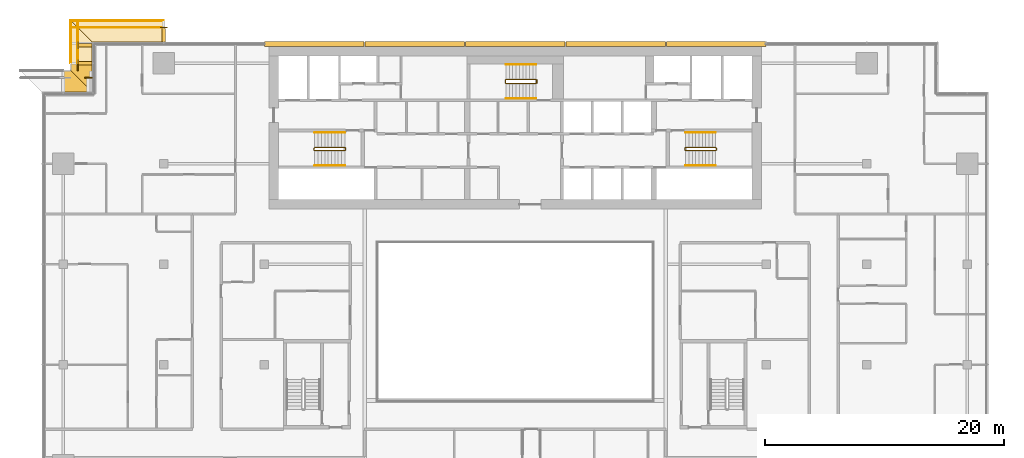
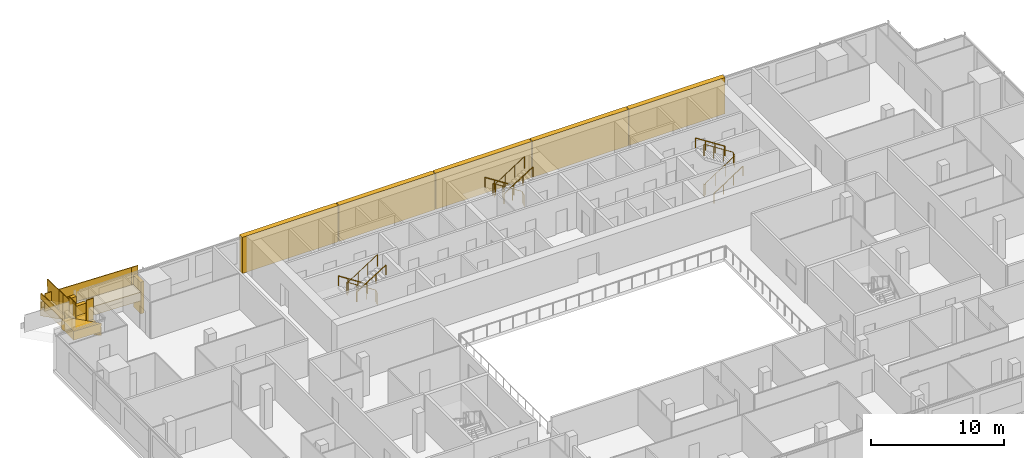
# One storey, part 27 of 30: 16 railings, 14 coverings.
"""IFC4 building model written with IfcOpenShell, lengths in metres."""

import ifcopenshell
import ifcopenshell.guid

model = None  # the IFC model being written
_history = None  # IfcOwnerHistory: only IFC2X3 demands one
_inside = {}  # id of a spatial element -> (the spatial element, [elements in it])
_under = {}  # id of a project, library or spatial element -> (it, [spatial elements below it])
_declared = {}  # id of a project -> (the project, [libraries it declares])
_typed = {}  # id of a type object -> (the type object, [elements of that type])
_made_of = {}  # id of a material, layer set ... -> (it, [elements and type objects made of it])


def new_model(schema):
    """Start an empty IFC model of exactly this schema.

    Asked for "IFC4X3", IfcOpenShell would pick the latest addendum, in which some entities
    have other attributes; the version numbers below select the first issue.
    IFC2X3 requires an IfcOwnerHistory on every rooted entity: one is made here for all.
    """
    global model, _history
    if schema == "IFC4X3":
        model = ifcopenshell.file(schema_version=(4, 3, 0, 0))
    else:
        model = ifcopenshell.file(schema=schema)
    _inside.clear()
    _under.clear()
    _declared.clear()
    _typed.clear()
    _made_of.clear()
    _history = None
    if model.schema == "IFC2X3":
        org = make("IfcOrganization", Name="unknown")
        user = make(
            "IfcPersonAndOrganization",
            ThePerson=make("IfcPerson", FamilyName="unknown"),
            TheOrganization=org,
        )
        app = make(
            "IfcApplication",
            ApplicationDeveloper=org,
            Version="unknown",
            ApplicationFullName="unknown",
            ApplicationIdentifier="unknown",
        )
        _history = make(
            "IfcOwnerHistory",
            OwningUser=user,
            OwningApplication=app,
            ChangeAction="ADDED",
            CreationDate=0,
        )
    return model


def make(cls, **values):
    """One entity of the class cls with the attributes given. An attribute that is None is left unset."""
    return model.create_entity(
        cls, **{name: value for name, value in values.items() if value is not None}
    )


def rooted(cls, **values):
    """An entity with a GlobalId (a new one), such as an element, a storey or a relation."""
    return make(cls, GlobalId=ifcopenshell.guid.new(), OwnerHistory=_history, **values)


def si_unit(unit_type, name, prefix=None):
    """IfcSIUnit, for example si_unit("LENGTHUNIT", "METRE", prefix="MILLI")."""
    return make("IfcSIUnit", UnitType=unit_type, Prefix=prefix, Name=name)


def assignment(units):
    """IfcUnitAssignment: the units of a project."""
    return None if units is None else make("IfcUnitAssignment", Units=units)


def point(xyz):
    """IfcCartesianPoint."""
    return None if xyz is None else make("IfcCartesianPoint", Coordinates=xyz)


def direction(xyz):
    """IfcDirection."""
    return None if xyz is None else make("IfcDirection", DirectionRatios=xyz)


def frame(location, z_axis=None, x_axis=None):
    """IfcAxis2Placement3D, a coordinate frame: its origin and axes. An axis left out is left unset."""
    return make(
        "IfcAxis2Placement3D",
        Location=point(location),
        Axis=direction(z_axis),
        RefDirection=direction(x_axis),
    )


def frame_2d(location, x_axis=None):
    """IfcAxis2Placement2D, a coordinate frame in the plane: its origin and x axis."""
    return make(
        "IfcAxis2Placement2D", Location=point(location), RefDirection=direction(x_axis)
    )


def origin():
    """The frame at (0, 0, 0) with its axes left unset."""
    return frame((0.0, 0.0, 0.0))


def origin_2d():
    """The frame at (0, 0) in the plane with its x axis left unset."""
    return frame_2d((0.0, 0.0))


def place(relative_to, where):
    """IfcLocalPlacement: puts the frame where relative to a parent placement (None: the world)."""
    return make(
        "IfcLocalPlacement", PlacementRelTo=relative_to, RelativePlacement=where
    )


def context(
    kind, dimensions, precision=None, world=None, true_north=None, identifier=None
):
    """IfcGeometricRepresentationContext, for example the 3D "Model" context."""
    return make(
        "IfcGeometricRepresentationContext",
        ContextIdentifier=identifier,
        ContextType=kind,
        CoordinateSpaceDimension=dimensions,
        Precision=precision,
        WorldCoordinateSystem=world,
        TrueNorth=true_north,
    )


def subcontext(parent, identifier, kind, view, scale=None):
    """IfcGeometricRepresentationSubContext, for example "Body" below "Model"."""
    return make(
        "IfcGeometricRepresentationSubContext",
        ContextIdentifier=identifier,
        ContextType=kind,
        ParentContext=parent,
        TargetScale=scale,
        TargetView=view,
    )


def project(units=None, contexts=None):
    """IfcProject with its units and contexts."""
    return rooted(
        "IfcProject",
        Name="project",
        RepresentationContexts=contexts,
        UnitsInContext=assignment(units),
    )


def spatial(cls, under=None, at=None, **own):
    """A site, building, storey or space (cls), placed at a placement, below another one or the project."""
    s = rooted(cls, ObjectPlacement=at, **own)
    if under is not None:
        _under.setdefault(under.id(), (under, []))[1].append(s)
    return s


def polyline(points):
    """IfcPolyline through the points."""
    return make("IfcPolyline", Points=[point(p) for p in points])


def profile(cls, at=None, kind="AREA", **sizes):
    """A parametric profile (cls). Its sizes go by their IFC names, for example OverallWidth=200.0."""
    return make(cls, ProfileType=kind, Position=at, **sizes)


def rectangle(**sizes):
    """IfcRectangleProfileDef."""
    return profile("IfcRectangleProfileDef", **sizes)


def circle(**sizes):
    """IfcCircleProfileDef."""
    return profile("IfcCircleProfileDef", **sizes)


def outline(outer, holes=None, kind="AREA"):
    """IfcArbitraryClosedProfileDef: a profile drawn as a closed curve; with holes, ...WithVoids."""
    if holes is None:
        return make("IfcArbitraryClosedProfileDef", ProfileType=kind, OuterCurve=outer)
    return make(
        "IfcArbitraryProfileDefWithVoids",
        ProfileType=kind,
        OuterCurve=outer,
        InnerCurves=holes,
    )


def extrude(swept, where, along, depth):
    """IfcExtrudedAreaSolid: the profile swept, set in the frame where, extruded along a direction by depth."""
    return make(
        "IfcExtrudedAreaSolid",
        SweptArea=swept,
        Position=where,
        ExtrudedDirection=direction(along),
        Depth=depth,
    )


def shape(context_of_items, identifier, shape_type, items):
    """IfcShapeRepresentation: the items that make up one representation, for example the "Body"."""
    return make(
        "IfcShapeRepresentation",
        ContextOfItems=context_of_items,
        RepresentationIdentifier=identifier,
        RepresentationType=shape_type,
        Items=items,
    )


def material(Name=None, Category=None):
    """IfcMaterial."""
    return make("IfcMaterial", Name=Name, Category=Category)


def layer(
    of_material, thickness, ventilated=None, Name=None, Category=None, Priority=None
):
    """IfcMaterialLayer: one layer of a wall or slab, of a material (None: an air gap)."""
    return make(
        "IfcMaterialLayer",
        Material=of_material,
        LayerThickness=thickness,
        IsVentilated=ventilated,
        Name=Name,
        Category=Category,
        Priority=Priority,
    )


def layer_set(layers, Name=None):
    """IfcMaterialLayerSet."""
    return make("IfcMaterialLayerSet", MaterialLayers=layers, LayerSetName=Name)


def made_of(thing, what):
    """Note that an element or type object is made of a material, layer set ...; save() writes the relation."""
    if what is not None:
        _made_of.setdefault(what.id(), (what, []))[1].append(thing)
    return thing


def type_object(cls, material=None, **own):
    """A type object (cls), such as IfcWallType, which elements share."""
    return made_of(rooted(cls, **own), material)


def element(
    cls,
    number,
    at=None,
    inside=None,
    cuts=None,
    type_object=None,
    material=None,
    context=None,
    identifier="Body",
    shape_type=None,
    held_by="IfcProductDefinitionShape",
    body=None,
    shapes=None,
    **own,
):
    """One element of the class cls, such as IfcWall. Its Tag is "e" and its number.

    at: its placement. inside: the storey or other place that contains it. cuts: it is an
    opening in that element (IfcRelVoidsElement). A single representation is given by context,
    identifier, shape_type and body (its items); several are given by shapes. held_by: the class
    of the entity that holds the representations. save() writes the other relations.
    """
    e = rooted(cls, Tag="e%d" % number, ObjectPlacement=at, **own)
    if body is not None:
        shapes = [shape(context, identifier, shape_type, body)]
    if shapes is not None:
        e.Representation = make(held_by, Representations=shapes)
    if inside is not None:
        _inside.setdefault(inside.id(), (inside, []))[1].append(e)
    if cuts is not None:
        rooted(
            "IfcRelVoidsElement", RelatingBuildingElement=cuts, RelatedOpeningElement=e
        )
    if type_object is not None:
        _typed.setdefault(type_object.id(), (type_object, []))[1].append(e)
    return made_of(e, material)


def aggregate(whole, parts):
    """IfcRelAggregates: a whole, such as a stair, and the parts it consists of."""
    return rooted("IfcRelAggregates", RelatingObject=whole, RelatedObjects=parts)


def save(model, path):
    """Write the relations noted so far, then the file.

    IfcRelAggregates (storeys below a building ...), IfcRelContainedInSpatialStructure (elements
    in a storey), IfcRelDefinesByType, IfcRelAssociatesMaterial and IfcRelDeclares: one each for
    every whole, place, type object, material and project.
    """
    for whole, parts in _under.values():
        aggregate(whole, parts)
    for where, things in _inside.values():
        rooted(
            "IfcRelContainedInSpatialStructure",
            RelatedElements=things,
            RelatingStructure=where,
        )
    for kind, things in _typed.values():
        rooted("IfcRelDefinesByType", RelatedObjects=things, RelatingType=kind)
    for what, things in _made_of.values():
        rooted("IfcRelAssociatesMaterial", RelatedObjects=things, RelatingMaterial=what)
    for by, libraries in _declared.values():
        rooted("IfcRelDeclares", RelatingContext=by, RelatedDefinitions=libraries)
    model.write(path)


model = new_model("IFC4")

# Units and contexts
model_context = context("Model", 3, precision=1e-05, world=origin(), true_north=direction((0.0, 1.0)))
body_context = subcontext(model_context, "Body", "Model", "MODEL_VIEW")
ifc_project = project(units=[si_unit("LENGTHUNIT", "METRE"), si_unit("AREAUNIT", "SQUARE_METRE"), si_unit("VOLUMEUNIT", "CUBIC_METRE"), si_unit("PLANEANGLEUNIT", "RADIAN"), si_unit("MASSUNIT", "GRAM", prefix="KILO")], contexts=[model_context])

# Site, building, storey
site_placement = place(None, origin())
site = spatial("IfcSite", under=ifc_project, at=site_placement, CompositionType="ELEMENT")
building_placement = place(site_placement, origin())
building = spatial("IfcBuilding", under=site, at=building_placement, Name="Saffron Gate Tower", CompositionType="ELEMENT")
storey_placement = place(building_placement, frame((0.0, 0.0, 179.85009765625)))
storey = spatial("IfcBuildingStorey", under=building, at=storey_placement, Name="L44", CompositionType="ELEMENT", Elevation=179.85009765625)

# Coverings
ifc_material_1 = material(Name="Ceramic-printed bronze insulated panel")
ifc_layer_1 = layer(ifc_material_1, 0.43994140625)
ifc_layer_set_1 = layer_set([ifc_layer_1], Name="CLD3 ceramic-printed cladding panel 440")
covering_type_1 = type_object("IfcCoveringType", Name="CLD3 ceramic-printed cladding panel 440", PredefinedType="CLADDING", material=ifc_layer_set_1)
covering_1_placement = place(storey_placement, origin())
element("IfcCovering", 1, at=covering_1_placement, inside=storey, type_object=covering_type_1, Name="CLADDING ceramic-printed panel", PredefinedType="CLADDING", context=body_context, shape_type="SweptSolid", body=[
    extrude(outline(polyline([(108.56494140625, 75.639892578125), (100.235107421875, 75.639892578125), (100.235107421875, 75.199951171875), (108.56494140625, 75.199951171875), (108.56494140625, 75.639892578125)])), origin(), (0.0, 0.0, 1.0), 3.31982421875),
])
covering_2_placement = place(storey_placement, origin())
element("IfcCovering", 2, at=covering_2_placement, inside=storey, type_object=covering_type_1, Name="CLADDING ceramic-printed panel", PredefinedType="CLADDING", context=body_context, shape_type="SweptSolid", body=[
    extrude(outline(polyline([(100.1650390625, 75.639892578125), (91.8349609375, 75.639892578125), (91.8349609375, 75.199951171875), (100.1650390625, 75.199951171875), (100.1650390625, 75.639892578125)])), origin(), (0.0, 0.0, 1.0), 3.31982421875),
])
covering_3_placement = place(storey_placement, origin())
element("IfcCovering", 3, at=covering_3_placement, inside=storey, type_object=covering_type_1, Name="CLADDING ceramic-printed panel", PredefinedType="CLADDING", context=body_context, shape_type="SweptSolid", body=[
    extrude(outline(polyline([(91.764892578125, 75.639892578125), (83.43505859375, 75.639892578125), (83.43505859375, 75.199951171875), (91.764892578125, 75.199951171875), (91.764892578125, 75.639892578125)])), origin(), (0.0, 0.0, 1.0), 3.31982421875),
])
covering_4_placement = place(storey_placement, origin())
element("IfcCovering", 4, at=covering_4_placement, inside=storey, type_object=covering_type_1, Name="CLADDING ceramic-printed panel", PredefinedType="CLADDING", context=body_context, shape_type="SweptSolid", body=[
    extrude(outline(polyline([(83.364990234375, 75.639892578125), (75.034912109375, 75.639892578125), (75.034912109375, 75.199951171875), (83.364990234375, 75.199951171875), (83.364990234375, 75.639892578125)])), origin(), (0.0, 0.0, 1.0), 3.31982421875),
])
covering_5_placement = place(storey_placement, origin())
element("IfcCovering", 5, at=covering_5_placement, inside=storey, type_object=covering_type_1, Name="CLADDING ceramic-printed panel", PredefinedType="CLADDING", context=body_context, shape_type="SweptSolid", body=[
    extrude(outline(polyline([(74.965087890625, 75.639892578125), (66.635009765625, 75.639892578125), (66.635009765625, 75.199951171875), (74.965087890625, 75.199951171875), (74.965087890625, 75.639892578125)])), origin(), (0.0, 0.0, 1.0), 3.31982421875),
])

# Railings
ifc_material_2 = material(Name="Stainless steel and laminated glass", Category="steel")
railing_type_1 = type_object("IfcRailingType", Name="CR1 Stair guard 1100", PredefinedType="GUARDRAIL", material=ifc_material_2)
railing_1_placement = place(storey_placement, frame((73.39990234375, 66.550048828125, 0.0)))
element("IfcRailing", 6, at=railing_1_placement, inside=storey, type_object=railing_type_1, Name="L44 ST-A stair guard 1", PredefinedType="GUARDRAIL", context=body_context, shape_type="SweptSolid", body=[
    extrude(circle(Radius=0.02392578125, at=origin_2d()), frame((0.0, 0.0, 1.076171875), z_axis=(0.0, 1.0, 0.0), x_axis=(-1.0, 0.0, 0.0)), (0.0, 0.0, 1.0), 0.14990234375),
    extrude(circle(Radius=0.02392578125, at=origin_2d()), frame((0.0, 0.14990234375, 1.076171875), z_axis=(-0.257669022063, 0.258932105505, 0.930892496375), x_axis=(-0.708833529934, -0.705375805398, 0.0)), (0.0, 0.0, 1.0), 0.193359375),
    extrude(circle(Radius=0.02392578125, at=origin_2d()), frame((-0.0498046875, 0.199951171875, 1.255859375), z_axis=(-0.841199657755, 0.0, 0.540724639528), x_axis=(0.0, -1.0, 0.0)), (0.0, 0.0, 1.0), 2.995849609375),
    extrude(circle(Radius=0.02392578125, at=origin_2d()), frame((-2.56982421875, 0.199951171875, 2.8759765625), z_axis=(-0.707106781187, -0.707106781187, 0.0), x_axis=(0.707106781187, -0.707106781187, 0.0)), (0.0, 0.0, 1.0), 0.07080078125),
    extrude(circle(Radius=0.02392578125, at=origin_2d()), frame((-2.619873046875, 0.14990234375, 2.8759765625), z_axis=(0.0, -1.0, 0.0), x_axis=(1.0, 0.0, 0.0)), (0.0, 0.0, 1.0), 0.14990234375),
    extrude(circle(Radius=0.02392578125, at=origin_2d()), frame((-2.619873046875, 0.0, 2.8759765625), z_axis=(0.258543844998, -0.258543844998, 0.930757841991), x_axis=(0.707106781187, 0.707106781187, 0.0)), (0.0, 0.0, 1.0), 0.193603515625),
    extrude(circle(Radius=0.02392578125, at=origin_2d()), frame((-2.56982421875, -0.050048828125, 3.05615234375), z_axis=(0.841199657755, 0.0, 0.540724639528), x_axis=(0.0, 1.0, 0.0)), (0.0, 0.0, 1.0), 2.995849609375),
    extrude(circle(Radius=0.02099609375, at=origin_2d()), origin(), (0.0, 0.0, 1.0), 1.052001953125),
    extrude(circle(Radius=0.02099609375, at=origin_2d()), frame((0.0, 0.14990234375, 0.0)), (0.0, 0.0, 1.0), 1.052001953125),
    extrude(circle(Radius=0.02099609375, at=origin_2d()), frame((-0.0498046875, 0.199951171875, 0.179931640625)), (0.0, 0.0, 1.0), 1.052001953125),
    extrude(circle(Radius=0.02099609375, at=origin_2d()), frame((-0.889892578125, 0.199951171875, 0.719970703125)), (0.0, 0.0, 1.0), 1.052001953125),
    extrude(circle(Radius=0.02099609375, at=origin_2d()), frame((-1.729736328125, 0.199951171875, 1.259765625)), (0.0, 0.0, 1.0), 1.052001953125),
    extrude(circle(Radius=0.02099609375, at=origin_2d()), frame((-2.56982421875, 0.199951171875, 1.7998046875)), (0.0, 0.0, 1.0), 1.052001953125),
    extrude(circle(Radius=0.02099609375, at=origin_2d()), frame((-2.619873046875, 0.14990234375, 1.7998046875)), (0.0, 0.0, 1.0), 1.052001953125),
    extrude(circle(Radius=0.02099609375, at=origin_2d()), frame((-2.619873046875, 0.0, 1.7998046875)), (0.0, 0.0, 1.0), 1.052001953125),
    extrude(circle(Radius=0.02099609375, at=origin_2d()), frame((-2.56982421875, -0.050048828125, 1.97998046875)), (0.0, 0.0, 1.0), 1.052001953125),
    extrude(circle(Radius=0.02099609375, at=origin_2d()), frame((-1.729736328125, -0.050048828125, 2.52001953125)), (0.0, 0.0, 1.0), 1.052001953125),
    extrude(circle(Radius=0.02099609375, at=origin_2d()), frame((-0.889892578125, -0.050048828125, 3.059814453125)), (0.0, 0.0, 1.0), 1.052001953125),
    extrude(circle(Radius=0.02099609375, at=origin_2d()), frame((-0.0498046875, -0.050048828125, 3.599853515625)), (0.0, 0.0, 1.0), 1.052001953125),
])
railing_2_placement = place(storey_placement, frame((101.800048828125, 66.699951171875, 0.0)))
element("IfcRailing", 7, at=railing_2_placement, inside=storey, type_object=railing_type_1, Name="L44 ST-B stair guard 1", PredefinedType="GUARDRAIL", context=body_context, shape_type="SweptSolid", body=[
    extrude(circle(Radius=0.02392578125, at=origin_2d()), frame((0.0, 0.0, 1.076171875), z_axis=(0.0, -1.0, 0.0), x_axis=(1.0, 0.0, 0.0)), (0.0, 0.0, 1.0), 0.14990234375),
    extrude(circle(Radius=0.02392578125, at=origin_2d()), frame((0.0, -0.14990234375, 1.076171875), z_axis=(0.258847668887, -0.258847668887, 0.930588936439), x_axis=(0.707106781187, 0.707106781187, 0.0)), (0.0, 0.0, 1.0), 0.193359375),
    extrude(circle(Radius=0.02392578125, at=origin_2d()), frame((0.050048828125, -0.199951171875, 1.255859375), z_axis=(0.841199657755, 0.0, 0.540724639528), x_axis=(0.0, 1.0, 0.0)), (0.0, 0.0, 1.0), 2.995849609375),
    extrude(circle(Radius=0.02392578125, at=origin_2d()), frame((2.570068359375, -0.199951171875, 2.8759765625), z_axis=(0.705375805398, 0.708833529934, 0.0), x_axis=(-0.708833529934, 0.705375805398, 0.0)), (0.0, 0.0, 1.0), 0.070556640625),
    extrude(circle(Radius=0.02392578125, at=origin_2d()), frame((2.619873046875, -0.14990234375, 2.8759765625), z_axis=(0.0, 1.0, 0.0), x_axis=(-1.0, 0.0, 0.0)), (0.0, 0.0, 1.0), 0.14990234375),
    extrude(circle(Radius=0.02392578125, at=origin_2d()), frame((2.619873046875, 0.0, 2.8759765625), z_axis=(-0.257366384619, 0.258627984543, 0.931060744355), x_axis=(-0.708833529934, -0.705375805398, 0.0)), (0.0, 0.0, 1.0), 0.193603515625),
    extrude(circle(Radius=0.02392578125, at=origin_2d()), frame((2.570068359375, 0.050048828125, 3.05615234375), z_axis=(-0.841199657755, 0.0, 0.540724639528), x_axis=(0.0, -1.0, 0.0)), (0.0, 0.0, 1.0), 2.995849609375),
    extrude(circle(Radius=0.02099609375, at=origin_2d()), origin(), (0.0, 0.0, 1.0), 1.052001953125),
    extrude(circle(Radius=0.02099609375, at=origin_2d()), frame((0.0, -0.14990234375, 0.0)), (0.0, 0.0, 1.0), 1.052001953125),
    extrude(circle(Radius=0.02099609375, at=origin_2d()), frame((0.050048828125, -0.199951171875, 0.179931640625)), (0.0, 0.0, 1.0), 1.052001953125),
    extrude(circle(Radius=0.02099609375, at=origin_2d()), frame((0.89013671875, -0.199951171875, 0.719970703125)), (0.0, 0.0, 1.0), 1.052001953125),
    extrude(circle(Radius=0.02099609375, at=origin_2d()), frame((1.72998046875, -0.199951171875, 1.259765625)), (0.0, 0.0, 1.0), 1.052001953125),
    extrude(circle(Radius=0.02099609375, at=origin_2d()), frame((2.570068359375, -0.199951171875, 1.7998046875)), (0.0, 0.0, 1.0), 1.052001953125),
    extrude(circle(Radius=0.02099609375, at=origin_2d()), frame((2.619873046875, -0.14990234375, 1.7998046875)), (0.0, 0.0, 1.0), 1.052001953125),
    extrude(circle(Radius=0.02099609375, at=origin_2d()), frame((2.619873046875, 0.0, 1.7998046875)), (0.0, 0.0, 1.0), 1.052001953125),
    extrude(circle(Radius=0.02099609375, at=origin_2d()), frame((2.570068359375, 0.050048828125, 1.97998046875)), (0.0, 0.0, 1.0), 1.052001953125),
    extrude(circle(Radius=0.02099609375, at=origin_2d()), frame((1.72998046875, 0.050048828125, 2.52001953125)), (0.0, 0.0, 1.0), 1.052001953125),
    extrude(circle(Radius=0.02099609375, at=origin_2d()), frame((0.89013671875, 0.050048828125, 3.059814453125)), (0.0, 0.0, 1.0), 1.052001953125),
    extrude(circle(Radius=0.02099609375, at=origin_2d()), frame((0.050048828125, 0.050048828125, 3.599853515625)), (0.0, 0.0, 1.0), 1.052001953125),
])
railing_3_placement = place(storey_placement, frame((89.39990234375, 72.14990234375, 0.0)))
element("IfcRailing", 8, at=railing_3_placement, inside=storey, type_object=railing_type_1, Name="L44 ST-C stair guard 1", PredefinedType="GUARDRAIL", context=body_context, shape_type="SweptSolid", body=[
    extrude(circle(Radius=0.02392578125, at=origin_2d()), frame((0.0, 0.0, 1.076171875), z_axis=(0.0, 1.0, 0.0), x_axis=(-1.0, 0.0, 0.0)), (0.0, 0.0, 1.0), 0.25),
    extrude(circle(Radius=0.02392578125, at=origin_2d()), frame((0.0, 0.25, 1.076171875), z_axis=(-0.257669022063, 0.258932105505, 0.930892496375), x_axis=(-0.708833529934, -0.705375805398, 0.0)), (0.0, 0.0, 1.0), 0.193359375),
    extrude(circle(Radius=0.02392578125, at=origin_2d()), frame((-0.0498046875, 0.300048828125, 1.255859375), z_axis=(-0.841199657755, 0.0, 0.540724639528), x_axis=(0.0, -1.0, 0.0)), (0.0, 0.0, 1.0), 2.995849609375),
    extrude(circle(Radius=0.02392578125, at=origin_2d()), frame((-2.56982421875, 0.300048828125, 2.8759765625), z_axis=(-0.707106781187, -0.707106781187, 0.0), x_axis=(0.707106781187, -0.707106781187, 0.0)), (0.0, 0.0, 1.0), 0.07080078125),
    extrude(circle(Radius=0.02392578125, at=origin_2d()), frame((-2.619873046875, 0.25, 2.8759765625), z_axis=(0.0, -1.0, 0.0), x_axis=(1.0, 0.0, 0.0)), (0.0, 0.0, 1.0), 0.25),
    extrude(circle(Radius=0.02392578125, at=origin_2d()), frame((-2.619873046875, 0.0, 2.8759765625), z_axis=(0.258627984543, -0.257366384619, 0.931060744355), x_axis=(0.705375805398, 0.708833529934, 0.0)), (0.0, 0.0, 1.0), 0.193603515625),
    extrude(circle(Radius=0.02392578125, at=origin_2d()), frame((-2.56982421875, -0.0498046875, 3.05615234375), z_axis=(0.841199657755, 0.0, 0.540724639528), x_axis=(0.0, 1.0, 0.0)), (0.0, 0.0, 1.0), 2.995849609375),
    extrude(circle(Radius=0.02099609375, at=origin_2d()), origin(), (0.0, 0.0, 1.0), 1.052001953125),
    extrude(circle(Radius=0.02099609375, at=origin_2d()), frame((0.0, 0.25, 0.0)), (0.0, 0.0, 1.0), 1.052001953125),
    extrude(circle(Radius=0.02099609375, at=origin_2d()), frame((-0.0498046875, 0.300048828125, 0.179931640625)), (0.0, 0.0, 1.0), 1.052001953125),
    extrude(circle(Radius=0.02099609375, at=origin_2d()), frame((-0.889892578125, 0.300048828125, 0.719970703125)), (0.0, 0.0, 1.0), 1.052001953125),
    extrude(circle(Radius=0.02099609375, at=origin_2d()), frame((-1.729736328125, 0.300048828125, 1.259765625)), (0.0, 0.0, 1.0), 1.052001953125),
    extrude(circle(Radius=0.02099609375, at=origin_2d()), frame((-2.56982421875, 0.300048828125, 1.7998046875)), (0.0, 0.0, 1.0), 1.052001953125),
    extrude(circle(Radius=0.02099609375, at=origin_2d()), frame((-2.619873046875, 0.25, 1.7998046875)), (0.0, 0.0, 1.0), 1.052001953125),
    extrude(circle(Radius=0.02099609375, at=origin_2d()), frame((-2.619873046875, 0.0, 1.7998046875)), (0.0, 0.0, 1.0), 1.052001953125),
    extrude(circle(Radius=0.02099609375, at=origin_2d()), frame((-2.56982421875, -0.0498046875, 1.97998046875)), (0.0, 0.0, 1.0), 1.052001953125),
    extrude(circle(Radius=0.02099609375, at=origin_2d()), frame((-1.729736328125, -0.0498046875, 2.52001953125)), (0.0, 0.0, 1.0), 1.052001953125),
    extrude(circle(Radius=0.02099609375, at=origin_2d()), frame((-0.889892578125, -0.0498046875, 3.059814453125)), (0.0, 0.0, 1.0), 1.052001953125),
    extrude(circle(Radius=0.02099609375, at=origin_2d()), frame((-0.0498046875, -0.0498046875, 3.599853515625)), (0.0, 0.0, 1.0), 1.052001953125),
])
ifc_material_3 = material(Name="Stainless steel", Category="steel")
railing_type_2 = type_object("IfcRailingType", Name="CR2 Stair handrail 900", PredefinedType="HANDRAIL", material=ifc_material_3)
railing_4_placement = place(storey_placement, frame((73.35009765625, 68.0, 0.179931640625)))
element("IfcRailing", 9, at=railing_4_placement, inside=storey, type_object=railing_type_2, Name="L44 ST-A stair handrail 1", PredefinedType="HANDRAIL", context=body_context, shape_type="SweptSolid", body=[
    extrude(circle(Radius=0.02392578125, at=origin_2d()), frame((0.0, 0.0, 0.8759765625), z_axis=(-0.841199657755, 0.0, 0.540724639528), x_axis=(0.0, -1.0, 0.0)), (0.0, 0.0, 1.0), 2.995849609375),
    extrude(circle(Radius=0.02099609375, at=origin_2d()), origin(), (0.0, 0.0, 1.0), 0.851806640625),
    extrude(circle(Radius=0.02099609375, at=origin_2d()), frame((-0.840087890625, 0.0, 0.5400390625)), (0.0, 0.0, 1.0), 0.851806640625),
    extrude(circle(Radius=0.02099609375, at=origin_2d()), frame((-1.679931640625, 0.0, 1.079833984375)), (0.0, 0.0, 1.0), 0.851806640625),
    extrude(circle(Radius=0.02099609375, at=origin_2d()), frame((-2.52001953125, 0.0, 1.619873046875)), (0.0, 0.0, 1.0), 0.851806640625),
])
for number, where, name in (
    (10, (70.830078125, 65.25, 1.97998046875), "L44 ST-A stair handrail 2"),
    (11, (101.85009765625, 65.25, 0.179931640625), "L44 ST-B stair handrail 1"),
):
    element("IfcRailing", number, at=place(storey_placement, frame(where)), inside=storey, type_object=railing_type_2, Name=name, PredefinedType="HANDRAIL", context=body_context, shape_type="SweptSolid", body=[
        extrude(circle(Radius=0.02392578125, at=origin_2d()), frame((0.0, 0.0, 0.8759765625), z_axis=(0.841199657755, 0.0, 0.540724639528), x_axis=(0.0, 1.0, 0.0)), (0.0, 0.0, 1.0), 2.995849609375),
        extrude(circle(Radius=0.02099609375, at=origin_2d()), origin(), (0.0, 0.0, 1.0), 0.851806640625),
        extrude(circle(Radius=0.02099609375, at=origin_2d()), frame((0.840087890625, 0.0, 0.5400390625)), (0.0, 0.0, 1.0), 0.851806640625),
        extrude(circle(Radius=0.02099609375, at=origin_2d()), frame((1.679931640625, 0.0, 1.079833984375)), (0.0, 0.0, 1.0), 0.851806640625),
        extrude(circle(Radius=0.02099609375, at=origin_2d()), frame((2.52001953125, 0.0, 1.619873046875)), (0.0, 0.0, 1.0), 0.851806640625),
    ])
for number, where, name in (
    (12, (104.3701171875, 68.0, 1.97998046875), "L44 ST-B stair handrail 2"),
    (13, (89.35009765625, 73.699951171875, 0.179931640625), "L44 ST-C stair handrail 1"),
):
    element("IfcRailing", number, at=place(storey_placement, frame(where)), inside=storey, type_object=railing_type_2, Name=name, PredefinedType="HANDRAIL", context=body_context, shape_type="SweptSolid", body=[
        extrude(circle(Radius=0.02392578125, at=origin_2d()), frame((0.0, 0.0, 0.8759765625), z_axis=(-0.841199657755, 0.0, 0.540724639528), x_axis=(0.0, -1.0, 0.0)), (0.0, 0.0, 1.0), 2.995849609375),
        extrude(circle(Radius=0.02099609375, at=origin_2d()), origin(), (0.0, 0.0, 1.0), 0.851806640625),
        extrude(circle(Radius=0.02099609375, at=origin_2d()), frame((-0.840087890625, 0.0, 0.5400390625)), (0.0, 0.0, 1.0), 0.851806640625),
        extrude(circle(Radius=0.02099609375, at=origin_2d()), frame((-1.679931640625, 0.0, 1.079833984375)), (0.0, 0.0, 1.0), 0.851806640625),
        extrude(circle(Radius=0.02099609375, at=origin_2d()), frame((-2.52001953125, 0.0, 1.619873046875)), (0.0, 0.0, 1.0), 0.851806640625),
    ])
railing_5_placement = place(storey_placement, frame((86.830078125, 70.85009765625, 1.97998046875)))
element("IfcRailing", 14, at=railing_5_placement, inside=storey, type_object=railing_type_2, Name="L44 ST-C stair handrail 2", PredefinedType="HANDRAIL", context=body_context, shape_type="SweptSolid", body=[
    extrude(circle(Radius=0.02392578125, at=origin_2d()), frame((0.0, 0.0, 0.8759765625), z_axis=(0.841199657755, 0.0, 0.540724639528), x_axis=(0.0, 1.0, 0.0)), (0.0, 0.0, 1.0), 2.995849609375),
    extrude(circle(Radius=0.02099609375, at=origin_2d()), origin(), (0.0, 0.0, 1.0), 0.851806640625),
    extrude(circle(Radius=0.02099609375, at=origin_2d()), frame((0.840087890625, 0.0, 0.5400390625)), (0.0, 0.0, 1.0), 0.851806640625),
    extrude(circle(Radius=0.02099609375, at=origin_2d()), frame((1.679931640625, 0.0, 1.079833984375)), (0.0, 0.0, 1.0), 0.851806640625),
    extrude(circle(Radius=0.02099609375, at=origin_2d()), frame((2.52001953125, 0.0, 1.619873046875)), (0.0, 0.0, 1.0), 0.851806640625),
])

# Coverings
ifc_material_4 = material(Name="Timber, thermally modified ash", Category="wood")
ifc_layer_2 = layer(ifc_material_4, 0.800048828125)
ifc_layer_set_2 = layer_set([ifc_layer_2], Name="LD1 ledge timber")
covering_type_2 = type_object("IfcCoveringType", Name="LD1 ledge timber", PredefinedType="CLADDING", material=ifc_layer_set_2)
covering_6_placement = place(storey_placement, frame((58.199951171875, 75.60009765625, 1.055419921875), z_axis=(0.028807146299, -3.5032058e-05, 0.99958498743), x_axis=(-0.999584988043, -3.68e-10, 0.028807146316)))
element("IfcCovering", 15, at=covering_6_placement, inside=storey, type_object=covering_type_2, Name="LEDGE", PredefinedType="CLADDING", context=body_context, shape_type="SweptSolid", body=[
    extrude(outline(polyline([(0.0, 0.0), (6.0024892885105, 0.0), (7.8032891020589235, -1.799804691475862), (-6.622937652876953e-10, -1.7998046863955992), (0.0, 0.0)])), origin(), (0.0, 0.0, -1.0), 0.800048828125),
])
covering_7_placement = place(storey_placement, frame((52.199951171875, 75.60009765625, 2.085693359375), z_axis=(4.3887651e-05, 0.028833291474, 0.999584233257), x_axis=(-1.925e-09, -0.99958423422, 0.028833291502)))
element("IfcCovering", 16, at=covering_7_placement, inside=storey, type_object=covering_type_2, Name="LEDGE", PredefinedType="CLADDING", context=body_context, shape_type="SweptSolid", body=[
    extrude(outline(polyline([(0.0, 0.0), (1.8007998168930421, 4.235164736271502e-22), (1.8007998203587168, -1.8000488263914396), (-1.8005487349298768, -1.8000488367923182), (0.0, 0.0)])), origin(), (0.0, 0.0, -1.0), 0.800048828125),
])
covering_8_placement = place(storey_placement, frame((52.199951171875, 73.800048828125, 2.394775390625), z_axis=(2.6333678e-05, 0.028794305201, 0.999585357683), x_axis=(5.2e-10, -0.99958535803, 0.028794305211)))
element("IfcCovering", 17, at=covering_8_placement, inside=storey, type_object=covering_type_2, Name="LEDGE", PredefinedType="CLADDING", context=body_context, shape_type="SweptSolid", body=[
    extrude(outline(polyline([(0.0, 0.0), (2.401140733194568, 0.0), (0.6003479496762917, -1.8000488290612322), (-9.357805408281585e-10, -1.8000488275008664), (0.0, 0.0)])), origin(), (0.0, 0.0, -1.0), 0.800048828125),
])
covering_9_placement = place(storey_placement, frame((52.199951171875, 71.39990234375, 2.806884765625), z_axis=(0.028717702301, -7.9786444e-05, 0.99958755855), x_axis=(-0.999587561732, 4.773e-09, 0.028717702392)))
element("IfcCovering", 18, at=covering_9_placement, inside=storey, type_object=covering_type_2, Name="LEDGE", PredefinedType="CLADDING", context=body_context, shape_type="SweptSolid", body=[
    extrude(outline(polyline([(0.0, 0.0), (2.400896689844359, 8.470329472543003e-22), (2.400896698435549, -1.8000488223955553), (1.8007998043088487, -1.800048836718559), (0.0, 0.0)])), origin(), (0.0, 0.0, -1.0), 0.800048828125),
])
ifc_layer_3 = layer(ifc_material_4, 0.080078125)
ifc_layer_set_3 = layer_set([ifc_layer_3], Name="LD2 ledge planter trough")
covering_type_3 = type_object("IfcCoveringType", Name="LD2 ledge planter trough", PredefinedType="CLADDING", material=ifc_layer_set_3)
covering_10_placement = place(storey_placement, frame((58.199951171875, 77.39990234375, 1.055419921875), z_axis=(0.0, 1.0, 0.0), x_axis=(-0.999584755248, 0.0, 0.028815222999)))
element("IfcCovering", 19, at=covering_10_placement, inside=storey, type_object=covering_type_3, Name="LEDGE planter trough", PredefinedType="CLADDING", context=body_context, shape_type="SweptSolid", body=[
    extrude(outline(polyline([(0.0, 0.0), (7.803289102975944, 0.0), (7.8176967144752565, 0.4997923776238338), (0.014407611499312996, 0.4997923776238338), (0.0, 0.0)])), origin(), (0.0, 0.0, -1.0), 0.080078125),
])
covering_11_placement = place(storey_placement, frame((50.39990234375, 77.39990234375, 2.033935546875), z_axis=(-1.0, 0.0, 0.0), x_axis=(0.0, -0.999584866472, 0.028811364412)))
element("IfcCovering", 20, at=covering_11_placement, inside=storey, type_object=covering_type_3, Name="LEDGE planter trough", PredefinedType="CLADDING", context=body_context, shape_type="SweptSolid", body=[
    extrude(outline(polyline([(0.0, 0.0), (3.601348556155073, 0.0), (3.6157542383609322, 0.49979243323622236), (0.01440568220585924, 0.49979243323622236), (0.0, 0.0)])), origin(), (0.0, 0.0, -1.0), 0.080078125),
])
ifc_layer_4 = layer(ifc_material_4, 0.300048828125)
ifc_layer_set_4 = layer_set([ifc_layer_4], Name="LD3 ledge riser fin")
covering_type_4 = type_object("IfcCoveringType", Name="LD3 ledge riser fin", PredefinedType="CLADDING", material=ifc_layer_set_4)
covering_12_placement = place(storey_placement, frame((58.199951171875, 76.159912109375, -0.94482421875), z_axis=(0.0, 0.0, 1.0), x_axis=(-1.0, 0.0, 0.0)))
element("IfcCovering", 21, at=covering_12_placement, inside=storey, type_object=covering_type_4, Name="LEDGE riser fin", PredefinedType="CLADDING", context=body_context, shape_type="SweptSolid", body=[
    extrude(rectangle(XDim=0.300048828125, YDim=1.1201171875, at=origin_2d()), origin(), (0.0, 0.0, 1.0), 2.900390625),
])
covering_13_placement = place(storey_placement, frame((51.639892578125, 75.300048828125, 0.42822265625), z_axis=(0.0, 0.0, 1.0), x_axis=(0.0, -1.0, 0.0)))
element("IfcCovering", 22, at=covering_13_placement, inside=storey, type_object=covering_type_4, Name="LEDGE riser fin", PredefinedType="CLADDING", context=body_context, shape_type="SweptSolid", body=[
    extrude(rectangle(XDim=0.300048828125, YDim=1.1201171875, at=origin_2d()), origin(), (0.0, 0.0, 1.0), 2.557373046875),
])
covering_14_placement = place(storey_placement, frame((51.639892578125, 73.800048828125, 1.33740234375), z_axis=(0.0, 0.0, 1.0), x_axis=(0.0, -1.0, 0.0)))
element("IfcCovering", 23, at=covering_14_placement, inside=storey, type_object=covering_type_4, Name="LEDGE riser fin", PredefinedType="CLADDING", context=body_context, shape_type="SweptSolid", body=[
    extrude(rectangle(XDim=0.300048828125, YDim=1.1201171875, at=origin_2d()), origin(), (0.0, 0.0, 1.0), 1.957275390625),
])

# Railings
railing_type_3 = type_object("IfcRailingType", Name="LG1 ledge balustrade", PredefinedType="BALUSTRADE", material=ifc_material_4)
railing_6_placement = place(storey_placement, frame((58.199951171875, 76.800048828125, 1.055419921875)))
element("IfcRailing", 24, at=railing_6_placement, inside=storey, type_object=railing_type_3, Name="LEDGE BALUSTRADE", PredefinedType="BALUSTRADE", context=body_context, shape_type="SweptSolid", body=[
    extrude(rectangle(XDim=0.06005859375, YDim=1.60009765625, at=origin_2d()), frame((0.0, 0.0, 0.800048828125), z_axis=(-0.999584755248, 0.0, 0.028815222999), x_axis=(0.0, -1.0, 0.0)), (0.0, 0.0, 1.0), 7.80322265625),
])
railing_7_placement = place(storey_placement, frame((58.5, 76.800048828125, -0.144775390625)))
element("IfcRailing", 25, at=railing_7_placement, inside=storey, type_object=railing_type_3, Name="LEDGE BALUSTRADE", PredefinedType="BALUSTRADE", context=body_context, shape_type="SweptSolid", body=[
    extrude(rectangle(XDim=0.06005859375, YDim=2.80029296875, at=origin_2d()), frame((0.0, 0.0, 1.400146484375), z_axis=(-1.0, 0.0, 0.0), x_axis=(0.0, -1.0, 0.0)), (0.0, 0.0, 1.0), 0.60009765625),
])
railing_8_placement = place(storey_placement, frame((51.0, 77.39990234375, 2.033935546875)))
element("IfcRailing", 26, at=railing_8_placement, inside=storey, type_object=railing_type_3, Name="LEDGE BALUSTRADE", PredefinedType="BALUSTRADE", context=body_context, shape_type="SweptSolid", body=[
    extrude(rectangle(XDim=0.06005859375, YDim=1.60009765625, at=origin_2d()), frame((0.0, 0.0, 0.800048828125), z_axis=(0.0, -0.999584866472, 0.028811364412), x_axis=(1.0, 0.0, 0.0)), (0.0, 0.0, 1.0), 3.601318359375),
])
railing_9_placement = place(storey_placement, frame((51.0, 75.60009765625, 1.228271484375)))
element("IfcRailing", 27, at=railing_9_placement, inside=storey, type_object=railing_type_3, Name="LEDGE BALUSTRADE", PredefinedType="BALUSTRADE", context=body_context, shape_type="SweptSolid", body=[
    extrude(rectangle(XDim=0.06005859375, YDim=2.45751953125, at=origin_2d()), frame((0.0, 0.0, 1.228759765625), z_axis=(0.0, -1.0, 0.0), x_axis=(1.0, 0.0, 0.0)), (0.0, 0.0, 1.0), 0.60009765625),
])
railing_10_placement = place(storey_placement, frame((51.0, 73.800048828125, 2.394775390625)))
element("IfcRailing", 28, at=railing_10_placement, inside=storey, type_object=railing_type_3, Name="LEDGE BALUSTRADE", PredefinedType="BALUSTRADE", context=body_context, shape_type="SweptSolid", body=[
    extrude(rectangle(XDim=0.06005859375, YDim=1.60009765625, at=origin_2d()), frame((0.0, 0.0, 0.800048828125), z_axis=(0.0, -0.999583081391, 0.028873229772), x_axis=(1.0, 0.0, 0.0)), (0.0, 0.0, 1.0), 0.600341796875),
])
railing_11_placement = place(storey_placement, frame((51.0, 74.10009765625, 2.1376953125)))
element("IfcRailing", 29, at=railing_11_placement, inside=storey, type_object=railing_type_3, Name="LEDGE BALUSTRADE", PredefinedType="BALUSTRADE", context=body_context, shape_type="SweptSolid", body=[
    extrude(rectangle(XDim=0.06005859375, YDim=1.857177734375, at=origin_2d()), frame((0.0, 0.0, 0.9287109375), z_axis=(0.0, -1.0, 0.0), x_axis=(1.0, 0.0, 0.0)), (0.0, 0.0, 1.0), 0.60009765625),
])
railing_12_placement = place(storey_placement, frame((52.199951171875, 72.60009765625, 2.4638671875)))
element("IfcRailing", 30, at=railing_12_placement, inside=storey, type_object=railing_type_3, Name="LEDGE BALUSTRADE", PredefinedType="BALUSTRADE", context=body_context, shape_type="SweptSolid", body=[
    extrude(rectangle(XDim=0.06005859375, YDim=1.943115234375, at=origin_2d()), frame((0.0, 0.0, 0.9716796875), z_axis=(-1.0, 0.0, 0.0), x_axis=(0.0, -1.0, 0.0)), (0.0, 0.0, 1.0), 0.599853515625),
])

save(model, "model.ifc")
